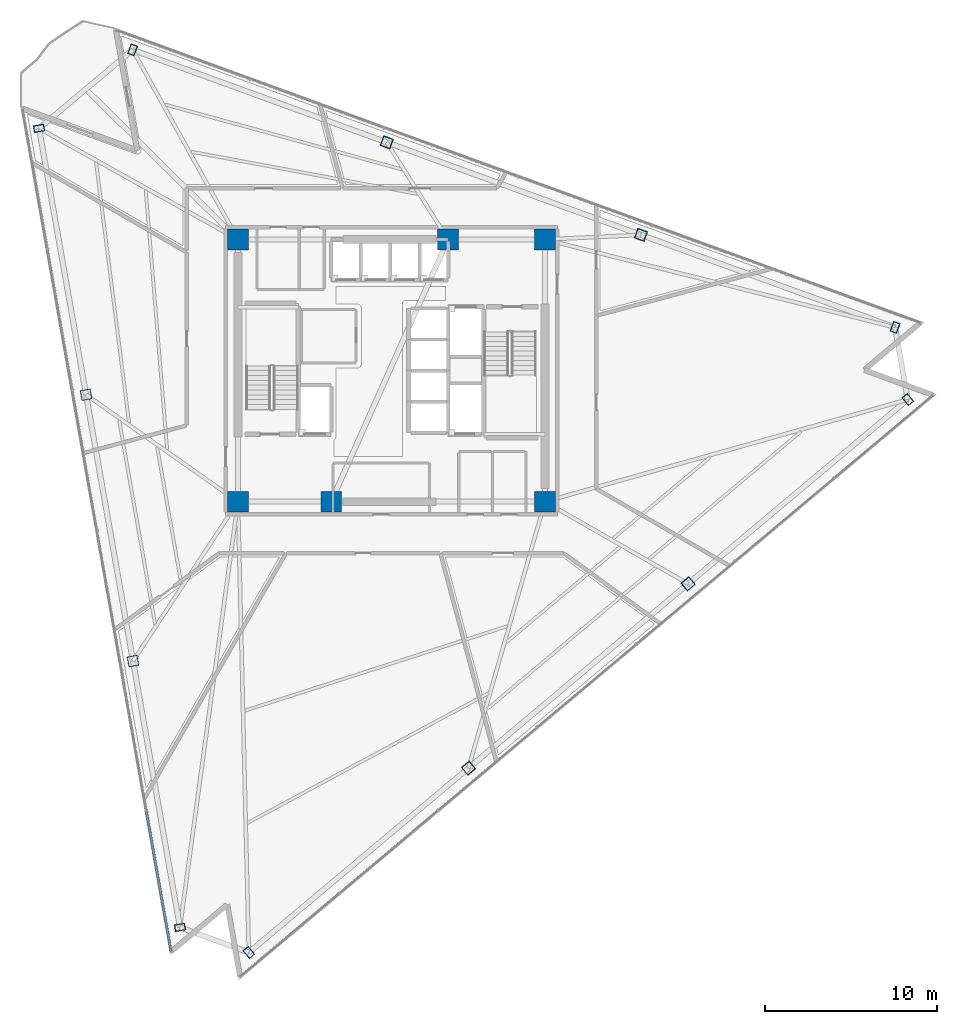
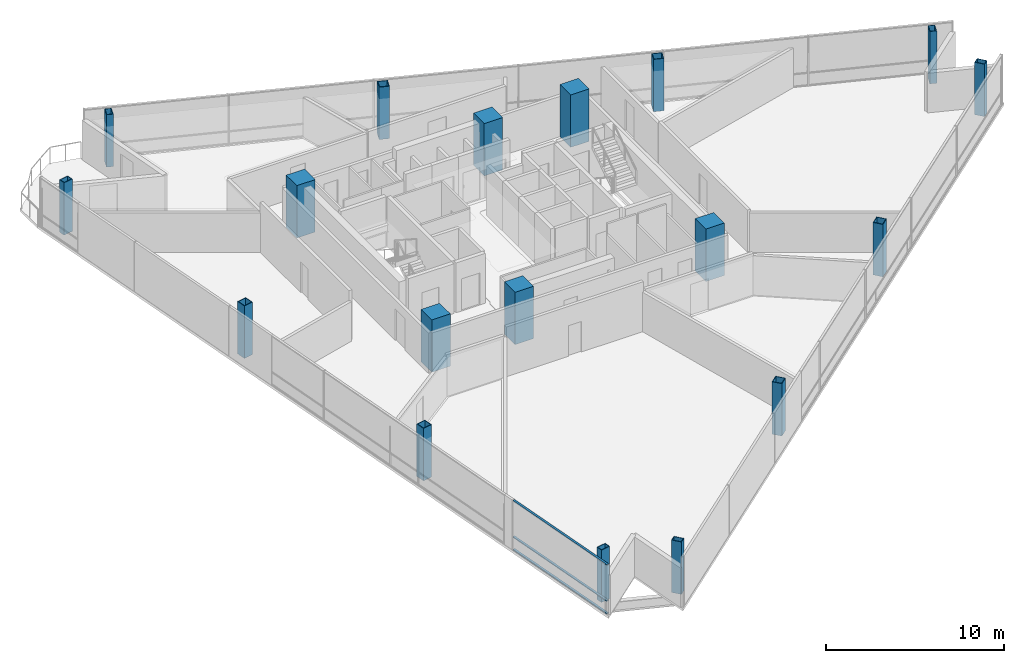
# One storey, part 1 of 15: 18 columns, 3 members, 1 element without a shape of its own.
"""IFC4 building model written with IfcOpenShell, lengths in metres."""

from ifc_helpers import new_model, si_unit, direction, frame, origin, origin_2d, place, context, subcontext, project, spatial, rectangle, hollow_rectangle, extrude, material, layer, layer_set, material_profile, profile_set, type_object, element, aggregate, save


model = new_model("IFC4")

# Units and contexts
model_context = context("Model", 3, precision=1e-05, world=origin(), true_north=direction((0.0, 1.0)))
body_context = subcontext(model_context, "Body", "Model", "MODEL_VIEW")
ifc_project = project(units=[si_unit("LENGTHUNIT", "METRE"), si_unit("AREAUNIT", "SQUARE_METRE"), si_unit("VOLUMEUNIT", "CUBIC_METRE"), si_unit("PLANEANGLEUNIT", "RADIAN"), si_unit("MASSUNIT", "GRAM", prefix="KILO")], contexts=[model_context])

# Site, building, storey
site_placement = place(None, origin())
site = spatial("IfcSite", under=ifc_project, at=site_placement, CompositionType="ELEMENT")
building_placement = place(site_placement, origin())
building = spatial("IfcBuilding", under=site, at=building_placement, Name="Tharavind Bronze Gate", CompositionType="ELEMENT")
storey_placement = place(building_placement, frame((0.0, 0.0, 177.699951171875)))
storey = spatial("IfcBuildingStorey", under=building, at=storey_placement, Name="L45", CompositionType="ELEMENT", Elevation=177.699951171875)

# Columns
ifc_material_1 = material(Name="Steel S460", Category="steel")
ifc_material_profile_1 = material_profile(ifc_material_1, hollow_rectangle(XDim=0.39990234375, YDim=0.60009765625, WallThickness=0.030029296875, at=origin_2d()), Name="RHS600X400X30")
ifc_profile_set_1 = profile_set([ifc_material_profile_1], Name="Steel S460")
column_type_1 = type_object("IfcColumnType", Name="CORNER NOTCH COLUMN RHS600X400", PredefinedType="COLUMN", material=ifc_profile_set_1)
for number, where, z_axis, x_axis, name in (
    (1, (-20.4326171875, 14.043212890625, 0.0), (0.0, 0.0, 1.0), (-0.173648177667, 0.984807753012, 0.0), "L45 perimeter column S1C1"),
    (2, (-12.263916015625, -32.2841796875, 0.0), (0.0, 0.0, 1.0), (-0.173648177667, 0.984807753012, 0.0), "L45 perimeter column S1C4"),
    (3, (-8.27197265625, -33.737060546875, 0.0), (0.0, 0.0, 1.0), (0.766043321242, 0.642788946685, 0.0), "L45 perimeter column S2C1"),
    (4, (29.933837890625, -1.6787109375, 0.0), (0.0, 0.0, 1.0), (0.766043321242, 0.642788946685, 0.0), "L45 perimeter column S2C4"),
    (5, (29.1962890625, 2.5048828125, 0.0), (0.0, 0.0, 1.0), (-0.939692023847, 0.342021783398, 0.0), "L45 perimeter column S3C1"),
    (6, (-15.0087890625, 18.59423828125, 0.0), (0.0, 0.0, 1.0), (-0.939692023847, 0.342021783398, 0.0), "L45 perimeter column S3C4"),
):
    element("IfcColumn", number, at=place(storey_placement, frame(where, z_axis=z_axis, x_axis=x_axis)), inside=storey, type_object=column_type_1, Name=name, PredefinedType="COLUMN", context=body_context, shape_type="SweptSolid", body=[
        extrude(hollow_rectangle(XDim=0.39990234375, YDim=0.60009765625, WallThickness=0.030029296875, at=origin_2d()), origin(), (0.0, 0.0, 1.0), 3.60009765625),
    ])
ifc_material_2 = material(Name="Concrete C60/75", Category="concrete")
ifc_material_profile_2 = material_profile(ifc_material_2, rectangle(XDim=1.199951171875, YDim=1.199951171875, at=origin_2d()), Name="RCCOL1200")
ifc_profile_set_2 = profile_set([ifc_material_profile_2], Name="Concrete C60/75")
column_type_2 = type_object("IfcColumnType", Name="MEGA CORE COLUMN 1200", PredefinedType="COLUMN", material=ifc_profile_set_2)
for number, where, z_axis, x_axis, name in (
    (7, (-8.89990234375, -7.60009765625, 0.0), (0.0, 0.0, 1.0), (1.0, 0.0, 0.0), "L45 core mega column MC1"),
    (8, (-3.5, -7.60009765625, 0.0), (0.0, 0.0, 1.0), (1.0, 0.0, 0.0), "L45 core mega column MC2"),
    (9, (8.89990234375, -7.60009765625, 0.0), (0.0, 0.0, 1.0), (1.0, 0.0, 0.0), "L45 core mega column MC3"),
    (10, (8.89990234375, 7.60009765625, 0.0), (0.0, 0.0, 1.0), (1.0, 0.0, 0.0), "L45 core mega column MC4"),
    (11, (3.280029296875, 7.60009765625, 0.0), (0.0, 0.0, 1.0), (1.0, 0.0, 0.0), "L45 core mega column MC5"),
    (12, (-8.89990234375, 7.60009765625, 0.0), (0.0, 0.0, 1.0), (1.0, 0.0, 0.0), "L45 core mega column MC6"),
):
    element("IfcColumn", number, at=place(storey_placement, frame(where, z_axis=z_axis, x_axis=x_axis)), inside=storey, type_object=column_type_2, Name=name, PredefinedType="COLUMN", context=body_context, shape_type="SweptSolid", body=[
        extrude(rectangle(XDim=1.199951171875, YDim=1.199951171875, at=origin_2d()), origin(), (0.0, 0.0, 1.0), 3.60009765625),
    ])
ifc_material_profile_3 = material_profile(ifc_material_1, hollow_rectangle(XDim=0.60009765625, YDim=0.60009765625, WallThickness=0.035888671875, at=origin_2d()), Name="SHS600X36")
ifc_profile_set_3 = profile_set([ifc_material_profile_3], Name="Steel S460")
column_type_3 = type_object("IfcColumnType", Name="PERIMETER BOX COLUMN SHS600", PredefinedType="COLUMN", material=ifc_profile_set_3)
for number, where, z_axis, x_axis, name in (
    (13, (-17.709716796875, -1.3994140625, 0.0), (0.0, 0.0, 1.0), (-0.173648177667, 0.984807753012, 0.0), "L45 perimeter column S1C2"),
    (14, (-14.98681640625, -16.841796875, 0.0), (0.0, 0.0, 1.0), (-0.173648177667, 0.984807753012, 0.0), "L45 perimeter column S1C3"),
    (15, (4.46337890625, -23.05078125, 0.0), (0.0, 0.0, 1.0), (0.766043321242, 0.642788946685, 0.0), "L45 perimeter column S2C2"),
    (16, (17.198486328125, -12.36474609375, 0.0), (0.0, 0.0, 1.0), (0.766043321242, 0.642788946685, 0.0), "L45 perimeter column S2C3"),
    (17, (14.461181640625, 7.867919921875, 0.0), (0.0, 0.0, 1.0), (-0.939692023847, 0.342021783398, 0.0), "L45 perimeter column S3C2"),
    (18, (-0.27392578125, 13.231201171875, 0.0), (0.0, 0.0, 1.0), (-0.939692023847, 0.342021783398, 0.0), "L45 perimeter column S3C3"),
):
    element("IfcColumn", number, at=place(storey_placement, frame(where, z_axis=z_axis, x_axis=x_axis)), inside=storey, type_object=column_type_3, Name=name, PredefinedType="COLUMN", context=body_context, shape_type="SweptSolid", body=[
        extrude(hollow_rectangle(XDim=0.60009765625, YDim=0.60009765625, WallThickness=0.035888671875, at=origin_2d()), origin(), (0.0, 0.0, 1.0), 3.60009765625),
    ])

# Curtain wall, members
ifc_material_3 = material(Name="Anodised Bronze Aluminium", Category="aluminium")
ifc_layer = layer(ifc_material_3, 0.219970703125)
ifc_layer_set = layer_set([ifc_layer], Name="Anodised Bronze Aluminium")
curtain_wall_type = type_object("IfcCurtainWallType", Name="UNITISED CURTAIN WALL MID OFFICE", PredefinedType="USERDEFINED", material=ifc_layer_set)
curtain_wall_placement = place(storey_placement, origin())
curtain_wall = element("IfcCurtainWall", 19, at=curtain_wall_placement, inside=storey, type_object=curtain_wall_type, Name="L45 unitised curtain wall mid office CW-L45-S1", ObjectType="UNITISED CURTAIN WALL", PredefinedType="USERDEFINED")
member_type = type_object("IfcMemberType", Name="CURTAIN WALL BRONZE TRANSOM 65X140", PredefinedType="USERDEFINED", material=ifc_material_3)
member_1_placement = place(storey_placement, frame((-13.4951171875, -29.6201171875, 0.0), z_axis=(0.0, 0.0, 1.0), x_axis=(0.173648177667, -0.984807753012, 0.0)))
member_1 = element("IfcMember", 20, at=member_1_placement, type_object=member_type, Name="CW-L45-S1 transom TB6", ObjectType="TRANSOM", PredefinedType="USERDEFINED", context=body_context, shape_type="SweptSolid", body=[
    extrude(rectangle(XDim=8.220458984375, YDim=0.139892578125, at=origin_2d()), origin(), (0.0, 0.0, 1.0), 0.06494140625),
])
member_2_placement = place(storey_placement, frame((-13.4951171875, -29.6201171875, 0.86767578125), z_axis=(0.0, 0.0, 1.0), x_axis=(0.173648177667, -0.984807753012, 0.0)))
member_2 = element("IfcMember", 21, at=member_2_placement, type_object=member_type, Name="CW-L45-S1 transom TS6", ObjectType="TRANSOM", PredefinedType="USERDEFINED", context=body_context, shape_type="SweptSolid", body=[
    extrude(rectangle(XDim=8.220458984375, YDim=0.139892578125, at=origin_2d()), origin(), (0.0, 0.0, 1.0), 0.06494140625),
])
member_3_placement = place(storey_placement, frame((-13.4951171875, -29.6201171875, 3.35498046875), z_axis=(0.0, 0.0, 1.0), x_axis=(0.173648177667, -0.984807753012, 0.0)))
member_3 = element("IfcMember", 22, at=member_3_placement, type_object=member_type, Name="CW-L45-S1 transom TT6", ObjectType="TRANSOM", PredefinedType="USERDEFINED", context=body_context, shape_type="SweptSolid", body=[
    extrude(rectangle(XDim=8.220458984375, YDim=0.139892578125, at=origin_2d()), origin(), (0.0, 0.0, 1.0), 0.06494140625),
])
aggregate(curtain_wall, [member_1, member_2, member_3])

save(model, "model.ifc")
